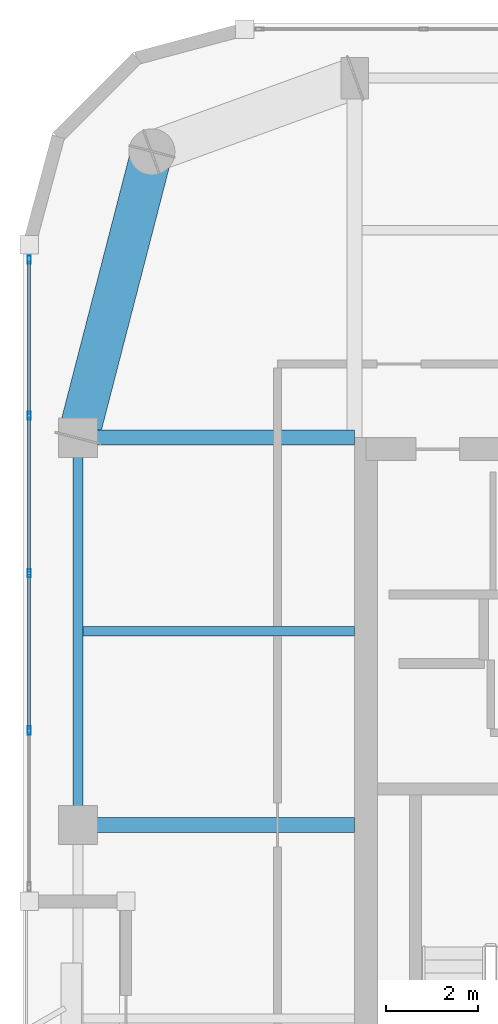
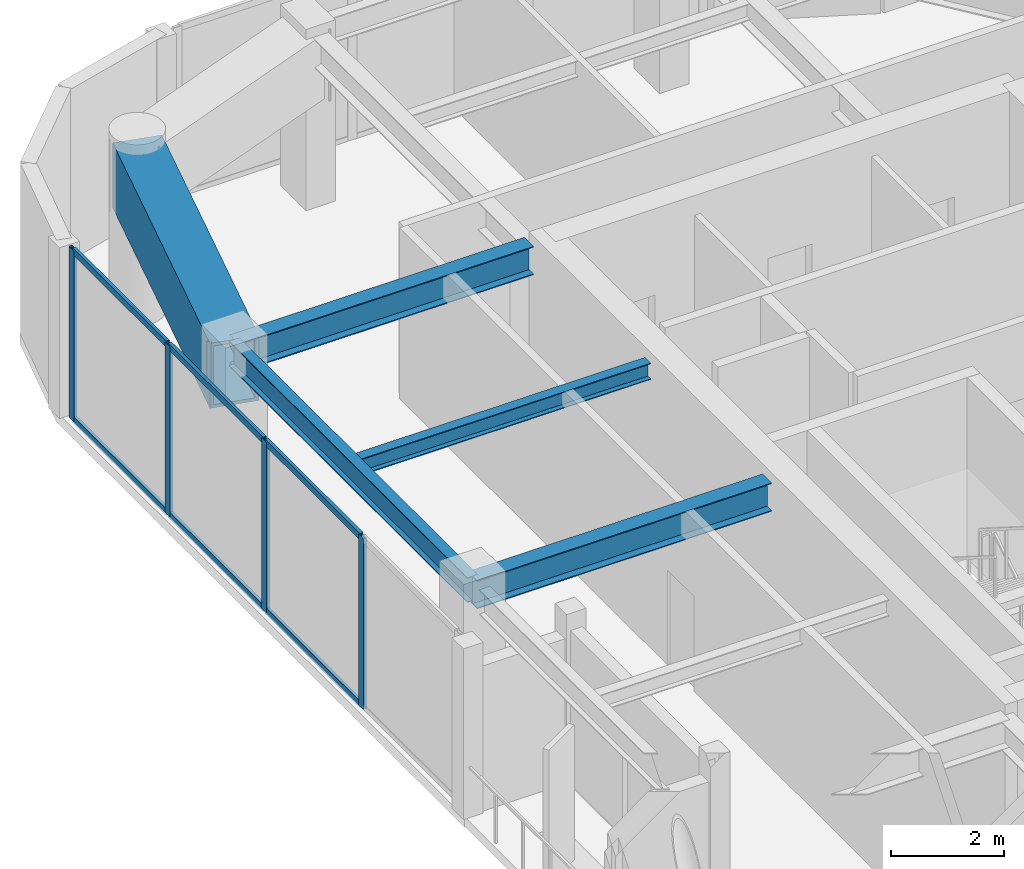
# One storey, part 4 of 15: 10 members, 5 beams, 1 element without a shape of its own.
"""IFC4 building model written with IfcOpenShell, lengths in metres."""

from ifc_helpers import new_model, si_unit, direction, frame, origin, origin_2d, place, context, subcontext, project, spatial, hollow_rectangle, i_section, extrude, material, layer, layer_set, material_profile, profile_set, type_object, element, aggregate, save


model = new_model("IFC4")

# Units and contexts
model_context = context("Model", 3, precision=1e-05, world=origin(), true_north=direction((0.0, 1.0)))
body_context = subcontext(model_context, "Body", "Model", "MODEL_VIEW")
ifc_project = project(units=[si_unit("LENGTHUNIT", "METRE"), si_unit("AREAUNIT", "SQUARE_METRE"), si_unit("VOLUMEUNIT", "CUBIC_METRE"), si_unit("PLANEANGLEUNIT", "RADIAN"), si_unit("MASSUNIT", "GRAM", prefix="KILO")], contexts=[model_context])

# Site, building, storey
site_placement = place(None, origin())
site = spatial("IfcSite", under=ifc_project, at=site_placement, CompositionType="ELEMENT")
building_placement = place(site_placement, origin())
building = spatial("IfcBuilding", under=site, at=building_placement, Name="Kiyonajd Concourse Tower", CompositionType="ELEMENT")
storey_placement = place(building_placement, frame((0.0, 0.0, 321.89990234375)))
storey = spatial("IfcBuildingStorey", under=building, at=storey_placement, Name="L81", CompositionType="ELEMENT", Elevation=321.89990234375)

# Beams
ifc_material_1 = material(Name="Steel ASTM A992 Grade 50", Category="steel")
ifc_material_profile_1 = material_profile(ifc_material_1, i_section(OverallWidth=0.205078125, OverallDepth=0.35400390625, WebThickness=0.009521484375, FlangeThickness=0.016845703125, at=origin_2d()), Name="W360X79")
ifc_profile_set_1 = profile_set([ifc_material_profile_1], Name="Steel ASTM A992 Grade 50")
beam_type_1 = type_object("IfcBeamType", Name="BM-JST-360", PredefinedType="JOIST", material=ifc_profile_set_1)
beam_1_placement = place(storey_placement, frame((26.505615234375, 40.199951171875, 3.503173828125), z_axis=(1.0, 0.0, 0.0), x_axis=(0.0, 1.0, 0.0)))
element("IfcBeam", 1, at=beam_1_placement, inside=storey, type_object=beam_type_1, Name="L81 West Secondary Floor Joist", PredefinedType="JOIST", context=body_context, shape_type="SweptSolid", body=[
    extrude(i_section(OverallWidth=0.205078125, OverallDepth=0.35400390625, WebThickness=0.009521484375, FlangeThickness=0.016845703125, at=origin_2d()), origin(), (0.0, 0.0, 1.0), 5.894287109375),
])
ifc_material_profile_2 = material_profile(ifc_material_1, i_section(OverallWidth=0.2109375, OverallDepth=0.5390625, WebThickness=0.01171875, FlangeThickness=0.018798828125, at=origin_2d()), Name="W530X109")
ifc_profile_set_2 = profile_set([ifc_material_profile_2], Name="Steel ASTM A992 Grade 50")
beam_type_2 = type_object("IfcBeamType", Name="BM-SPAN-530B", PredefinedType="SPANDREL", material=ifc_profile_set_2)
beam_2_placement = place(storey_placement, frame((26.39990234375, 44.39990234375, 3.41064453125), z_axis=(0.0, -1.0, 0.0), x_axis=(1.0, 0.0, 0.0)))
element("IfcBeam", 2, at=beam_2_placement, inside=storey, type_object=beam_type_2, Name="L81 Perimeter Bundled Tube Spandrel", PredefinedType="SPANDREL", context=body_context, shape_type="SweptSolid", body=[
    extrude(i_section(OverallWidth=0.2109375, OverallDepth=0.5390625, WebThickness=0.01171875, FlangeThickness=0.018798828125, at=origin_2d()), origin(), (0.0, 0.0, 1.0), 8.39990234375),
])
ifc_material_profile_3 = material_profile(ifc_material_1, i_section(OverallWidth=0.323974609375, OverallDepth=0.611083984375, WebThickness=0.0126953125, FlangeThickness=0.01904296875, at=origin_2d()), Name="W610X155")
ifc_profile_set_3 = profile_set([ifc_material_profile_3], Name="Steel ASTM A992 Grade 50")
beam_type_3 = type_object("IfcBeamType", Name="BM-TWR-610B", PredefinedType="BEAM", material=ifc_profile_set_3)
for number, where, z_axis, x_axis, name in (
    (3, (26.39990234375, 36.0, 3.37451171875), (1.0, 0.0, 0.0), (0.0, 1.0, 0.0), "L81 West Lease Girder"),
    (4, (26.39990234375, 44.39990234375, 3.37451171875), (1.0, 0.0, 0.0), (0.0, 1.0, 0.0), "L81 West Lease Girder"),
):
    element("IfcBeam", number, at=place(storey_placement, frame(where, z_axis=z_axis, x_axis=x_axis)), inside=storey, type_object=beam_type_3, Name=name, PredefinedType="BEAM", context=body_context, shape_type="SweptSolid", body=[
        extrude(i_section(OverallWidth=0.323974609375, OverallDepth=0.611083984375, WebThickness=0.0126953125, FlangeThickness=0.01904296875, at=origin_2d()), origin(), (0.0, 0.0, 1.0), 6.0),
    ])
ifc_material_2 = material(Name="Steel ASTM A572 Grade 50", Category="steel")
ifc_material_profile_4 = material_profile(ifc_material_2, hollow_rectangle(XDim=0.89990234375, YDim=1.39990234375, WallThickness=0.070068359375, at=origin_2d()), Name="BOX-1400x900x70")
ifc_profile_set_4 = profile_set([ifc_material_profile_4], Name="Steel ASTM A572 Grade 50")
beam_type_4 = type_object("IfcBeamType", Name="BM-XFER-1400", PredefinedType="BEAM", material=ifc_profile_set_4)
beam_3_placement = place(storey_placement, frame((28.0, 50.60009765625, 2.97998046875), z_axis=(-0.249884937687, -0.968275538221, 0.0), x_axis=(0.968275538221, -0.249884937687, 0.0)))
element("IfcBeam", 5, at=beam_3_placement, inside=storey, type_object=beam_type_4, Name="L81 Perimeter Bundled Tube Spandrel", PredefinedType="BEAM", context=body_context, shape_type="SweptSolid", body=[
    extrude(hollow_rectangle(XDim=0.89990234375, YDim=1.39990234375, WallThickness=0.070068359375, at=origin_2d()), origin(), (0.0, 0.0, 1.0), 6.4033203125),
])

# Curtain wall, members
ifc_material_3 = material(Name="Thermally Broken Anodised Aluminium", Category="aluminium")
ifc_layer = layer(ifc_material_3, 0.179931640625)
ifc_layer_set = layer_set([ifc_layer], Name="Thermally Broken Anodised Aluminium")
curtain_wall_type = type_object("IfcCurtainWallType", Name="CW-SYS-04", PredefinedType="NOTDEFINED", material=ifc_layer_set)
curtain_wall_placement = place(storey_placement, origin())
curtain_wall = element("IfcCurtainWall", 6, at=curtain_wall_placement, inside=storey, type_object=curtain_wall_type, Name="L81 Unitised Curtain Wall CW4", PredefinedType="NOTDEFINED")
ifc_material_profile_5 = material_profile(ifc_material_3, hollow_rectangle(XDim=0.06494140625, YDim=0.179931640625, WallThickness=0.00390625, at=origin_2d()), Name="MULL-65x180")
ifc_profile_set_5 = profile_set([ifc_material_profile_5], Name="Thermally Broken Anodised Aluminium")
member_type_1 = type_object("IfcMemberType", Name="MB-CW-MULL1", PredefinedType="MULLION", material=ifc_profile_set_5)
member_1_placement = place(storey_placement, frame((25.340087890625, 38.04541015625, 0.0), z_axis=(0.0, 0.0, 1.0), x_axis=(-1.0, 0.0, 0.0)))
member_1 = element("IfcMember", 7, at=member_1_placement, type_object=member_type_1, Name="CW4 mullion 2", PredefinedType="MULLION", context=body_context, shape_type="SweptSolid", body=[
    extrude(hollow_rectangle(XDim=0.06494140625, YDim=0.179931640625, WallThickness=0.00390625, at=origin_2d()), origin(), (0.0, 0.0, 1.0), 3.68017578125),
])
member_2_placement = place(storey_placement, frame((25.340087890625, 41.460693359375, 0.0), z_axis=(0.0, 0.0, 1.0), x_axis=(-1.0, 0.0, 0.0)))
member_2 = element("IfcMember", 8, at=member_2_placement, type_object=member_type_1, Name="CW4 mullion 3", PredefinedType="MULLION", context=body_context, shape_type="SweptSolid", body=[
    extrude(hollow_rectangle(XDim=0.06494140625, YDim=0.179931640625, WallThickness=0.00390625, at=origin_2d()), origin(), (0.0, 0.0, 1.0), 3.68017578125),
])
member_3_placement = place(storey_placement, frame((25.340087890625, 44.876220703125, 0.0), z_axis=(0.0, 0.0, 1.0), x_axis=(-1.0, 0.0, 0.0)))
member_3 = element("IfcMember", 9, at=member_3_placement, type_object=member_type_1, Name="CW4 mullion 4", PredefinedType="MULLION", context=body_context, shape_type="SweptSolid", body=[
    extrude(hollow_rectangle(XDim=0.06494140625, YDim=0.179931640625, WallThickness=0.00390625, at=origin_2d()), origin(), (0.0, 0.0, 1.0), 3.68017578125),
])
member_4_placement = place(storey_placement, frame((25.340087890625, 48.259033203125, 0.0), z_axis=(0.0, 0.0, 1.0), x_axis=(-1.0, 0.0, 0.0)))
member_4 = element("IfcMember", 10, at=member_4_placement, type_object=member_type_1, Name="CW4 mullion 5", PredefinedType="MULLION", context=body_context, shape_type="SweptSolid", body=[
    extrude(hollow_rectangle(XDim=0.06494140625, YDim=0.179931640625, WallThickness=0.00390625, at=origin_2d()), origin(), (0.0, 0.0, 1.0), 3.68017578125),
])
ifc_material_profile_6 = material_profile(ifc_material_3, hollow_rectangle(XDim=0.06494140625, YDim=0.139892578125, WallThickness=0.00390625, at=origin_2d()), Name="TRAN-65x140")
ifc_profile_set_6 = profile_set([ifc_material_profile_6], Name="Thermally Broken Anodised Aluminium")
member_type_2 = type_object("IfcMemberType", Name="MB-CW-TRAN1", PredefinedType="USERDEFINED", material=ifc_profile_set_6)
member_5_placement = place(storey_placement, frame((25.340087890625, 38.077880859375, 0.03271484375), z_axis=(0.0, 1.0, 0.0), x_axis=(-1.0, 0.0, 0.0)))
member_5 = element("IfcMember", 11, at=member_5_placement, type_object=member_type_2, Name="CW4 transom 2.1", ObjectType="TRANSOM", PredefinedType="USERDEFINED", context=body_context, shape_type="SweptSolid", body=[
    extrude(hollow_rectangle(XDim=0.06494140625, YDim=0.139892578125, WallThickness=0.00390625, at=origin_2d()), origin(), (0.0, 0.0, 1.0), 3.350341796875),
])
member_6_placement = place(storey_placement, frame((25.340087890625, 38.077880859375, 3.647705078125), z_axis=(0.0, 1.0, 0.0), x_axis=(-1.0, 0.0, 0.0)))
member_6 = element("IfcMember", 12, at=member_6_placement, type_object=member_type_2, Name="CW4 transom 2.2", ObjectType="TRANSOM", PredefinedType="USERDEFINED", context=body_context, shape_type="SweptSolid", body=[
    extrude(hollow_rectangle(XDim=0.06494140625, YDim=0.139892578125, WallThickness=0.00390625, at=origin_2d()), origin(), (0.0, 0.0, 1.0), 3.350341796875),
])
member_7_placement = place(storey_placement, frame((25.340087890625, 41.493408203125, 0.03271484375), z_axis=(0.0, 1.0, 0.0), x_axis=(-1.0, 0.0, 0.0)))
member_7 = element("IfcMember", 13, at=member_7_placement, type_object=member_type_2, Name="CW4 transom 3.1", ObjectType="TRANSOM", PredefinedType="USERDEFINED", context=body_context, shape_type="SweptSolid", body=[
    extrude(hollow_rectangle(XDim=0.06494140625, YDim=0.139892578125, WallThickness=0.00390625, at=origin_2d()), origin(), (0.0, 0.0, 1.0), 3.350341796875),
])
member_8_placement = place(storey_placement, frame((25.340087890625, 41.493408203125, 3.647705078125), z_axis=(0.0, 1.0, 0.0), x_axis=(-1.0, 0.0, 0.0)))
member_8 = element("IfcMember", 14, at=member_8_placement, type_object=member_type_2, Name="CW4 transom 3.2", ObjectType="TRANSOM", PredefinedType="USERDEFINED", context=body_context, shape_type="SweptSolid", body=[
    extrude(hollow_rectangle(XDim=0.06494140625, YDim=0.139892578125, WallThickness=0.00390625, at=origin_2d()), origin(), (0.0, 0.0, 1.0), 3.350341796875),
])
member_9_placement = place(storey_placement, frame((25.340087890625, 44.90869140625, 0.03271484375), z_axis=(0.0, 1.0, 0.0), x_axis=(-1.0, 0.0, 0.0)))
member_9 = element("IfcMember", 15, at=member_9_placement, type_object=member_type_2, Name="CW4 transom 4.1", ObjectType="TRANSOM", PredefinedType="USERDEFINED", context=body_context, shape_type="SweptSolid", body=[
    extrude(hollow_rectangle(XDim=0.06494140625, YDim=0.139892578125, WallThickness=0.00390625, at=origin_2d()), origin(), (0.0, 0.0, 1.0), 3.31787109375),
])
member_10_placement = place(storey_placement, frame((25.340087890625, 44.90869140625, 3.647705078125), z_axis=(0.0, 1.0, 0.0), x_axis=(-1.0, 0.0, 0.0)))
member_10 = element("IfcMember", 16, at=member_10_placement, type_object=member_type_2, Name="CW4 transom 4.2", ObjectType="TRANSOM", PredefinedType="USERDEFINED", context=body_context, shape_type="SweptSolid", body=[
    extrude(hollow_rectangle(XDim=0.06494140625, YDim=0.139892578125, WallThickness=0.00390625, at=origin_2d()), origin(), (0.0, 0.0, 1.0), 3.31787109375),
])
aggregate(curtain_wall, [member_1, member_2, member_3, member_4, member_5, member_6, member_7, member_8, member_9, member_10])

save(model, "model.ifc")
